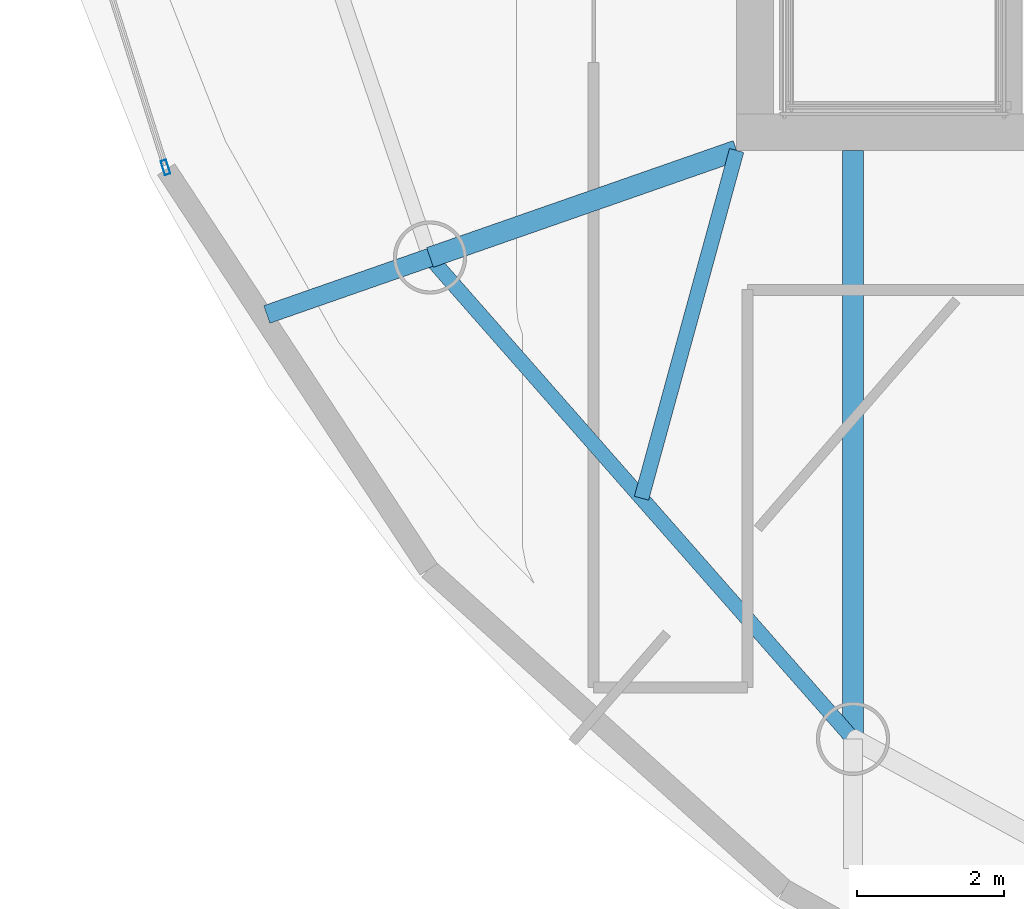
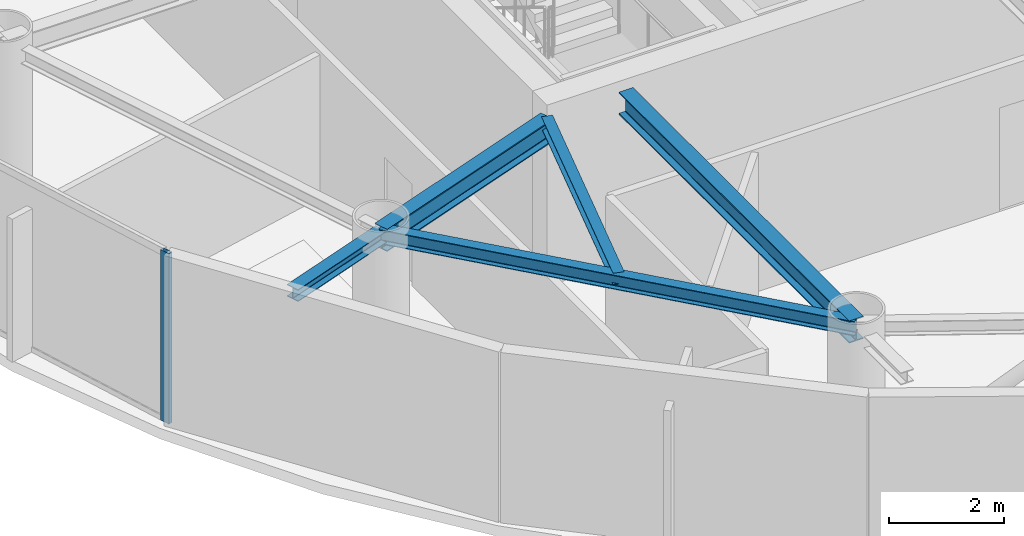
# One storey, part 2 of 19: 5 beams, 1 member, 1 element without a shape of its own.
"""IFC4 building model written with IfcOpenShell, lengths in metres."""

from ifc_helpers import new_model, si_unit, direction, frame, origin, origin_2d, place, context, subcontext, project, spatial, hollow_rectangle, i_section, extrude, material, layer, layer_set, material_profile, profile_set, type_object, element, aggregate, save


model = new_model("IFC4")

# Units and contexts
model_context = context("Model", 3, precision=1e-05, world=origin(), true_north=direction((0.0, 1.0)))
body_context = subcontext(model_context, "Body", "Model", "MODEL_VIEW")
ifc_project = project(units=[si_unit("LENGTHUNIT", "METRE"), si_unit("AREAUNIT", "SQUARE_METRE"), si_unit("VOLUMEUNIT", "CUBIC_METRE"), si_unit("PLANEANGLEUNIT", "RADIAN"), si_unit("MASSUNIT", "GRAM", prefix="KILO")], contexts=[model_context])

# Site, building, storey
site_placement = place(None, origin())
site = spatial("IfcSite", under=ifc_project, at=site_placement, CompositionType="ELEMENT")
building_placement = place(site_placement, origin())
building = spatial("IfcBuilding", under=site, at=building_placement, Name="Bramvorn Convention Spire", CompositionType="ELEMENT")
storey_placement = place(building_placement, frame((0.0, 0.0, 292.10009765625)))
storey = spatial("IfcBuildingStorey", under=building, at=storey_placement, Name="L74", CompositionType="ELEMENT", Elevation=292.10009765625)

# Beams
ifc_material_1 = material(Name="Steel CSA G40.21 Grade 350 (350W)", Category="steel")
ifc_material_profile_1 = material_profile(ifc_material_1, i_section(OverallWidth=0.201904296875, OverallDepth=0.2470703125, WebThickness=0.00732421875, FlangeThickness=0.010986328125, FilletRadius=0.011962890625, at=origin_2d()))
ifc_profile_set_1 = profile_set([ifc_material_profile_1], Name="Steel CSA G40.21 Grade 350 (350W) - W250X49")
beam_type_1 = type_object("IfcBeamType", Name="BM-W250X49", PredefinedType="JOIST", material=ifc_profile_set_1)
beam_1_placement = place(storey_placement, frame((26.75, 18.550048828125, 3.50146484375), z_axis=(-0.26386506219, -0.96455960363, 0.0), x_axis=(0.96455960363, -0.26386506219, 0.0)))
element("IfcBeam", 1, at=beam_1_placement, inside=storey, type_object=beam_type_1, Name="L74 composite floor joist 13", PredefinedType="JOIST", context=body_context, shape_type="SweptSolid", body=[
    extrude(i_section(OverallWidth=0.201904296875, OverallDepth=0.2470703125, WebThickness=0.00732421875, FlangeThickness=0.010986328125, FilletRadius=0.011962890625, at=origin_2d()), origin(), (0.0, 0.0, 1.0), 4.917724609375),
])
ifc_material_profile_2 = material_profile(ifc_material_1, i_section(OverallWidth=0.25390625, OverallDepth=0.2529296875, WebThickness=0.008544921875, FlangeThickness=0.01416015625, FilletRadius=0.011962890625, at=origin_2d()))
ifc_profile_set_2 = profile_set([ifc_material_profile_2], Name="Steel CSA G40.21 Grade 350 (350W) - W250X73")
beam_type_2 = type_object("IfcBeamType", Name="BM-W250X73", PredefinedType="BEAM", material=ifc_profile_set_2)
beam_2_placement = place(storey_placement, frame((22.5673828125, 17.090087890625, 3.45849609375), z_axis=(-0.944114768927, -0.329616903531, 0.0), x_axis=(0.329616903531, -0.944114768927, 0.0)))
element("IfcBeam", 2, at=beam_2_placement, inside=storey, type_object=beam_type_2, Name="L74 slab-edge cantilever tip beam MC13", PredefinedType="BEAM", context=body_context, shape_type="SweptSolid", body=[
    extrude(i_section(OverallWidth=0.25390625, OverallDepth=0.2529296875, WebThickness=0.008544921875, FlangeThickness=0.01416015625, FilletRadius=0.011962890625, at=origin_2d()), origin(), (0.0, 0.0, 1.0), 2.357666015625),
])
ifc_material_profile_3 = material_profile(ifc_material_1, i_section(OverallWidth=0.202880859375, OverallDepth=0.302978515625, WebThickness=0.007568359375, FlangeThickness=0.01318359375, FilletRadius=0.013916015625, at=origin_2d()))
ifc_profile_set_3 = profile_set([ifc_material_profile_3], Name="Steel CSA G40.21 Grade 350 (350W) - W310X60")
beam_type_3 = type_object("IfcBeamType", Name="BM-W310X60", PredefinedType="JOIST", material=ifc_profile_set_3)
beam_3_placement = place(storey_placement, frame((22.5673828125, 17.090087890625, 3.473388671875), z_axis=(0.660073062339, -0.751201405999, 0.0), x_axis=(0.751201405999, 0.660073062339, 0.0)))
element("IfcBeam", 3, at=beam_3_placement, inside=storey, type_object=beam_type_3, Name="L74 mega-column ring beam 13", PredefinedType="JOIST", context=body_context, shape_type="SweptSolid", body=[
    extrude(i_section(OverallWidth=0.202880859375, OverallDepth=0.302978515625, WebThickness=0.007568359375, FlangeThickness=0.01318359375, FilletRadius=0.013916015625, at=origin_2d()), origin(), (0.0, 0.0, 1.0), 8.741943359375),
])
ifc_material_profile_4 = material_profile(ifc_material_1, i_section(OverallWidth=0.283935546875, OverallDepth=0.47607421875, WebThickness=0.014892578125, FlangeThickness=0.02392578125, FilletRadius=0.01806640625, at=origin_2d()))
ifc_profile_set_4 = profile_set([ifc_material_profile_4], Name="Steel CSA G40.21 Grade 350 (350W) - W460X158")
beam_type_4 = type_object("IfcBeamType", Name="BM-W460X158", PredefinedType="SPANDREL", material=ifc_profile_set_4)
beam_4_placement = place(storey_placement, frame((26.75, 18.550048828125, 3.386962890625), z_axis=(-0.944136391877, -0.329554962843, 0.0), x_axis=(0.329554962843, -0.944136391877, 0.0)))
element("IfcBeam", 4, at=beam_4_placement, inside=storey, type_object=beam_type_4, Name="L74 radial floor girder MC13", PredefinedType="SPANDREL", context=body_context, shape_type="SweptSolid", body=[
    extrude(i_section(OverallWidth=0.283935546875, OverallDepth=0.47607421875, WebThickness=0.014892578125, FlangeThickness=0.02392578125, FilletRadius=0.01806640625, at=origin_2d()), origin(), (0.0, 0.0, 1.0), 4.43017578125),
])
beam_5_placement = place(storey_placement, frame((28.337646484375, 18.550048828125, 3.386962890625), z_axis=(0.0, -1.0, 0.0), x_axis=(1.0, 0.0, 0.0)))
element("IfcBeam", 5, at=beam_5_placement, inside=storey, type_object=beam_type_4, Name="L74 radial floor girder MC14", PredefinedType="SPANDREL", context=body_context, shape_type="SweptSolid", body=[
    extrude(i_section(OverallWidth=0.283935546875, OverallDepth=0.47607421875, WebThickness=0.014892578125, FlangeThickness=0.02392578125, FilletRadius=0.01806640625, at=origin_2d()), origin(), (0.0, 0.0, 1.0), 8.02685546875),
])

# Curtain wall, member
ifc_material_2 = material(Name="Anodised Bronze Unitised Curtain Wall", Category="aluminium")
ifc_layer = layer(ifc_material_2, 0.179931640625)
ifc_layer_set = layer_set([ifc_layer], Name="Anodised Bronze Unitised Curtain Wall - CW-OFF-FRIT")
curtain_wall_type = type_object("IfcCurtainWallType", Name="CW-OFF-FRIT", PredefinedType="USERDEFINED", material=ifc_layer_set)
curtain_wall_placement = place(storey_placement, origin())
curtain_wall = element("IfcCurtainWall", 6, at=curtain_wall_placement, inside=storey, type_object=curtain_wall_type, Name="L74 fritted glass curtain wall 18", ObjectType="UNITISED CURTAIN WALL", PredefinedType="USERDEFINED")
ifc_material_3 = material(Name="Anodised Bronze Aluminium 6063-T6", Category="aluminium")
ifc_material_profile_5 = material_profile(ifc_material_3, hollow_rectangle(XDim=0.080078125, YDim=0.199951171875, WallThickness=0.00390625, InnerFilletRadius=0.0009765625, OuterFilletRadius=0.00390625, at=origin_2d()))
ifc_profile_set_5 = profile_set([ifc_material_profile_5], Name="Anodised Bronze Aluminium 6063-T6 - CWM80X200")
member_type = type_object("IfcMemberType", Name="CW-MUL-180", PredefinedType="MULLION", material=ifc_profile_set_5)
member_placement = place(storey_placement, frame((18.959228515625, 18.320068359375, 0.0), z_axis=(0.0, 0.0, 1.0), x_axis=(-0.953619475094, -0.301014778245, 0.0)))
member = element("IfcMember", 7, at=member_placement, type_object=member_type, Name="CW3 mullion 1", PredefinedType="MULLION", context=body_context, shape_type="SweptSolid", body=[
    extrude(hollow_rectangle(XDim=0.080078125, YDim=0.199951171875, WallThickness=0.00390625, InnerFilletRadius=0.0009765625, OuterFilletRadius=0.00390625, at=origin_2d()), origin(), (0.0, 0.0, 1.0), 3.625),
])
aggregate(curtain_wall, [member])

save(model, "model.ifc")
